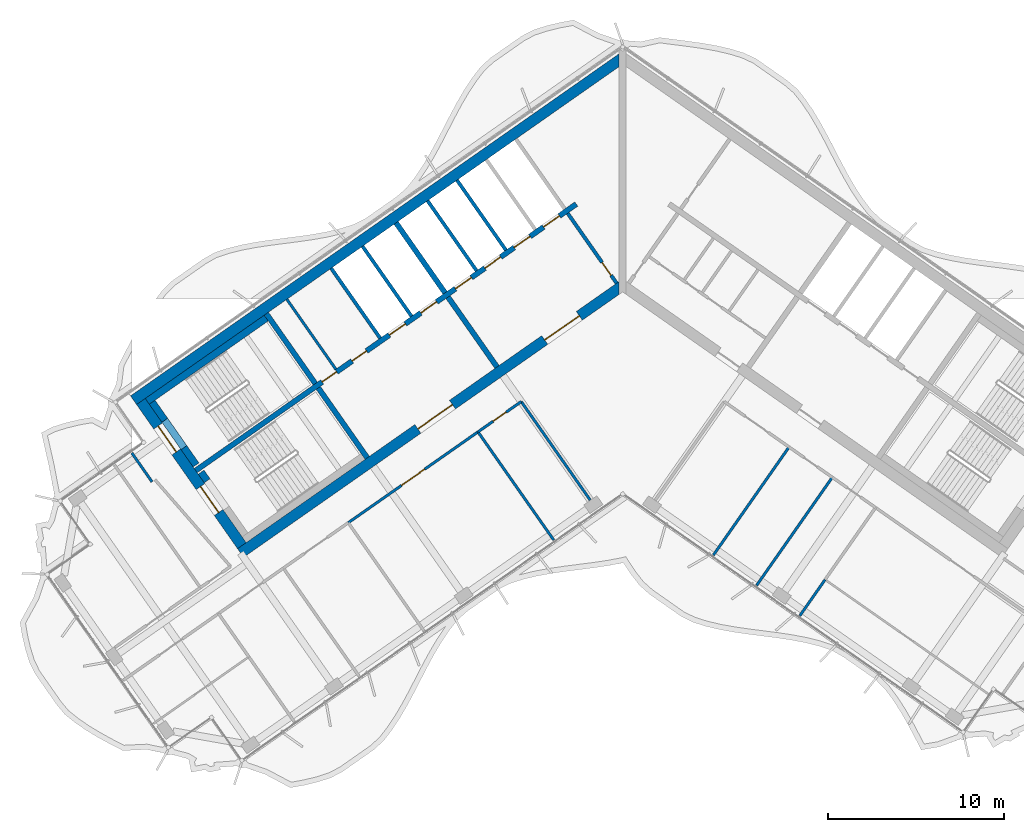
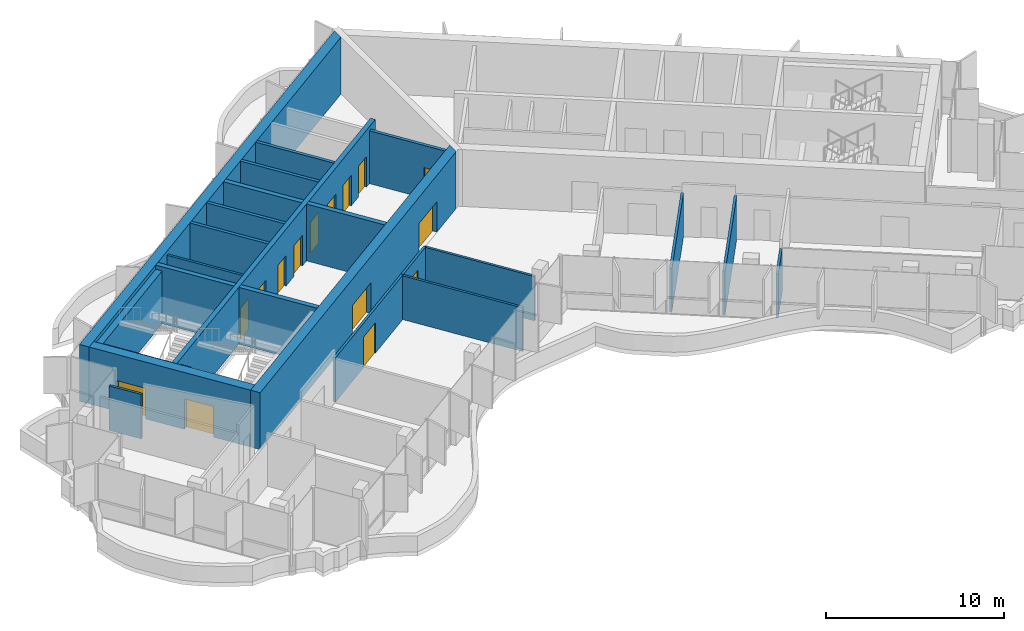
# One storey, part 9 of 17: 27 walls, 15 doors, 15 openings.
"""IFC4 building model written with IfcOpenShell, lengths in metres."""

from ifc_helpers import new_model, si_unit, direction, frame, frame_2d, origin, place, context, subcontext, project, spatial, polyline, rectangle, outline, extrude, material, layer, layer_set, type_object, element, fill, save


model = new_model("IFC4")

# Units and contexts
model_context = context("Model", 3, precision=1e-05, world=origin(), true_north=direction((0.0, 1.0)))
body_context = subcontext(model_context, "Body", "Model", "MODEL_VIEW")
ifc_project = project(units=[si_unit("LENGTHUNIT", "METRE"), si_unit("AREAUNIT", "SQUARE_METRE"), si_unit("VOLUMEUNIT", "CUBIC_METRE"), si_unit("PLANEANGLEUNIT", "RADIAN"), si_unit("MASSUNIT", "GRAM", prefix="KILO")], contexts=[model_context])

# Site, building, storey
site_placement = place(None, origin())
site = spatial("IfcSite", under=ifc_project, at=site_placement, CompositionType="ELEMENT")
building_placement = place(site_placement, origin())
building = spatial("IfcBuilding", under=site, at=building_placement, Name="Tel Ilan Convention Tower", CompositionType="ELEMENT")
storey_placement = place(building_placement, frame((0.0, 0.0, 280.0)))
storey = spatial("IfcBuildingStorey", under=building, at=storey_placement, Name="L66", CompositionType="ELEMENT", Elevation=280.0)

# Wall
ifc_material_1 = material(Name="Gypsum Plasterboard on Steel Stud", Category="steel")
ifc_layer_1 = layer(ifc_material_1, 0.14990234375)
ifc_layer_set_1 = layer_set([ifc_layer_1], Name="Core Room Partition Wall 150 mm EI 60")
wall_type_1 = type_object("IfcWallType", Name="Core Room Partition Wall 150 mm EI 60", PredefinedType="PARTITIONING", material=ifc_layer_set_1)
wall_1_placement = place(storey_placement, frame((-16.302001953125, -5.6162109375, 0.0), z_axis=(0.0, 0.0, 1.0), x_axis=(-0.573560315113, 0.819163332265, 0.0)))
element("IfcWall", 1, at=wall_1_placement, inside=storey, type_object=wall_type_1, Name="L66 core wall bank-W2-split", PredefinedType="PARTITIONING", context=body_context, shape_type="SweptSolid", body=[
    extrude(rectangle(XDim=4.849853515625, YDim=0.14990234375, at=frame_2d((2.4248046875, 0.0))), origin(), (0.0, 0.0, 1.0), 3.6201171875),
])

# Wall, opening, door
ifc_material_2 = material(Name="Concrete C30/37", Category="concrete")
ifc_layer_2 = layer(ifc_material_2, 0.199951171875)
ifc_layer_set_2 = layer_set([ifc_layer_2], Name="Core Service Room Wall 200 mm C30/37")
wall_type_2 = type_object("IfcWallType", Name="Core Service Room Wall 200 mm C30/37", PredefinedType="SOLIDWALL", material=ifc_layer_set_2)
wall_2_placement = place(storey_placement, frame((-0.343994140625, -0.729248046875, 0.0), z_axis=(0.0, 0.0, 1.0), x_axis=(-0.573560315113, 0.819163332265, 0.0)))
wall_2 = element("IfcWall", 2, at=wall_2_placement, inside=storey, type_object=wall_type_2, Name="L66 core wall apex-W", PredefinedType="SOLIDWALL", context=body_context, shape_type="SweptSolid", body=[
    extrude(rectangle(XDim=4.849853515625, YDim=0.199951171875, at=frame_2d((2.4248046875, 0.0))), origin(), (0.0, 0.0, 1.0), 3.6201171875),
])
opening_1_placement = place(wall_2_placement, frame((0.550048828125, 0.0, 0.0)))
opening_1 = element("IfcOpeningElement", 3, at=opening_1_placement, cuts=wall_2, Name="Opening CD5002", PredefinedType="OPENING", context=body_context, shape_type="SweptSolid", body=[
    extrude(rectangle(XDim=0.89990234375, YDim=2.10009765625, at=frame_2d((0.449951171875, 1.050048828125))), frame((0.0, 0.10986328125, 0.0), z_axis=(0.0, -1.0, 0.0), x_axis=(1.0, 0.0, 0.0)), (0.0, 0.0, 1.0), 0.219970703125),
])
ifc_material_3 = material(Name="Galvanised Steel Door Leaf", Category="steel")
door_type_1 = type_object("IfcDoorType", Name="Service Room Door 900 x 2100 FD60", OperationType="NOTDEFINED", PredefinedType="DOOR", material=ifc_material_3)
door_1_placement = place(opening_1_placement, origin())
door_1 = element("IfcDoor", 4, at=door_1_placement, inside=storey, type_object=door_type_1, Name="Riser Room door", OperationType="SINGLE_SWING_RIGHT", OverallHeight=2.10009765625, OverallWidth=0.89990234375, PredefinedType="DOOR", context=body_context, shape_type="SweptSolid", body=[
    extrude(rectangle(XDim=0.89990234375, YDim=2.10009765625, at=frame_2d((0.449951171875, 1.050048828125))), frame((0.0, 0.02490234375, 0.0), z_axis=(0.0, -1.0, 0.0), x_axis=(1.0, 0.0, 0.0)), (0.0, 0.0, 1.0), 0.050048828125),
])
fill(opening_1, door_1)

# Walls
ifc_material_4 = material(Name="Concrete C40/50", Category="concrete")
ifc_layer_3 = layer(ifc_material_4, 0.300048828125)
ifc_layer_set_3 = layer_set([ifc_layer_3], Name="Core Shear Wall 300 mm C40/50")
wall_type_3 = type_object("IfcWallType", Name="Core Shear Wall 300 mm C40/50", PredefinedType="SHEAR", material=ifc_layer_set_3)
wall_3_placement = place(storey_placement, frame((-7.142822265625, -5.48974609375, 0.0), z_axis=(0.0, 0.0, 1.0), x_axis=(-0.573617744349, 0.819123118565, 0.0)))
element("IfcWall", 5, at=wall_3_placement, inside=storey, type_object=wall_type_3, Name="L66 core wall W-cross1-1", PredefinedType="SHEAR", context=body_context, shape_type="SweptSolid", body=[
    extrude(outline(polyline([(4.85009765625, 0.14990234375), (0.0, 0.150146484375), (0.0, -0.14990234375), (4.85009765625, -0.150146484375), (4.85009765625, 0.14990234375)])), origin(), (0.0, 0.0, 1.0), 3.89990234375),
])
wall_4_placement = place(storey_placement, frame((-10.096923828125, -1.271240234375, 0.0), z_axis=(0.0, 0.0, 1.0), x_axis=(-0.573560315113, 0.819163332265, 0.0)))
element("IfcWall", 6, at=wall_4_placement, inside=storey, type_object=wall_type_3, Name="L66 core wall W-cross1-2", PredefinedType="SHEAR", context=body_context, shape_type="SweptSolid", body=[
    extrude(outline(polyline([(4.849853515625, -0.14990234375), (4.849853515625, 0.150146484375), (0.0, 0.14990234375), (0.0, -0.150146484375), (4.849853515625, -0.14990234375)])), origin(), (0.0, 0.0, 1.0), 3.89990234375),
])
wall_5_placement = place(storey_placement, frame((-14.515380859375, -10.652099609375, 0.0), z_axis=(0.0, 0.0, 1.0), x_axis=(-0.573560315113, 0.819163332265, 0.0)))
element("IfcWall", 7, at=wall_5_placement, inside=storey, type_object=wall_type_3, Name="L66 core wall W-cross2-1", PredefinedType="SHEAR", context=body_context, shape_type="SweptSolid", body=[
    extrude(outline(polyline([(4.85009765625, 0.14990234375), (0.0, 0.14990234375), (0.0, -0.150146484375), (4.85009765625, -0.14990234375), (4.85009765625, 0.14990234375)])), origin(), (0.0, 0.0, 1.0), 3.89990234375),
])
wall_6_placement = place(storey_placement, frame((-17.46923828125, -6.433349609375, 0.0), z_axis=(0.0, 0.0, 1.0), x_axis=(-0.573594092424, 0.81913968109, 0.0)))
element("IfcWall", 8, at=wall_6_placement, inside=storey, type_object=wall_type_3, Name="L66 core wall W-cross2-2", PredefinedType="SHEAR", context=body_context, shape_type="SweptSolid", body=[
    extrude(outline(polyline([(4.849853515625, -0.150146484375), (4.849853515625, 0.14990234375), (0.0, 0.14990234375), (0.0, -0.14990234375), (4.849853515625, -0.150146484375)])), origin(), (0.0, 0.0, 1.0), 3.89990234375),
])

# Wall, openings, doors
wall_7_placement = place(storey_placement, frame((-2.638427734375, 3.76806640625, 0.0), z_axis=(0.0, 0.0, 1.0), x_axis=(-0.819155014212, -0.573572194837, 0.0)))
wall_7 = element("IfcWall", 9, at=wall_7_placement, inside=storey, type_object=wall_type_3, Name="L66 core wall W-spine", PredefinedType="SHEAR", context=body_context, shape_type="SweptSolid", body=[
    extrude(outline(polyline([(26.39990234375, 0.150146484375), (0.0, 0.14990234375), (0.0, -0.150146484375), (26.39990234375, -0.14990234375), (26.39990234375, 0.150146484375)])), origin(), (0.0, 0.0, 1.0), 3.89990234375),
])
opening_2_placement = place(wall_7_placement, frame((1.168701171875, 0.0, 0.0)))
opening_2 = element("IfcOpeningElement", 10, at=opening_2_placement, cuts=wall_7, Name="Opening LD5004", PredefinedType="OPENING", context=body_context, shape_type="SweptSolid", body=[
    extrude(rectangle(XDim=1.10009765625, YDim=2.10009765625, at=frame_2d((0.550048828125, 1.050048828125))), frame((0.0, 0.159912109375, 0.0), z_axis=(0.0, -1.0, 0.0), x_axis=(1.0, 0.0, 0.0)), (0.0, 0.0, 1.0), 0.320068359375),
])
opening_3_placement = place(wall_7_placement, frame((3.206298828125, 0.0, 0.0)))
opening_3 = element("IfcOpeningElement", 11, at=opening_3_placement, cuts=wall_7, Name="Opening LD5005", PredefinedType="OPENING", context=body_context, shape_type="SweptSolid", body=[
    extrude(rectangle(XDim=1.10009765625, YDim=2.10009765625, at=frame_2d((0.550048828125, 1.050048828125))), frame((0.0, 0.159912109375, 0.0), z_axis=(0.0, -1.0, 0.0), x_axis=(1.0, 0.0, 0.0)), (0.0, 0.0, 1.0), 0.320068359375),
])
opening_4_placement = place(wall_7_placement, frame((5.24365234375, 0.0, 0.0)))
opening_4 = element("IfcOpeningElement", 12, at=opening_4_placement, cuts=wall_7, Name="Opening LD5006", PredefinedType="OPENING", context=body_context, shape_type="SweptSolid", body=[
    extrude(rectangle(XDim=1.10009765625, YDim=2.10009765625, at=frame_2d((0.550048828125, 1.050048828125))), frame((0.0, 0.159912109375, 0.0), z_axis=(0.0, -1.0, 0.0), x_axis=(1.0, 0.0, 0.0)), (0.0, 0.0, 1.0), 0.320068359375),
])
opening_5_placement = place(wall_7_placement, frame((7.28125, 0.0, 0.0)))
opening_5 = element("IfcOpeningElement", 13, at=opening_5_placement, cuts=wall_7, Name="Opening LD5007", PredefinedType="OPENING", context=body_context, shape_type="SweptSolid", body=[
    extrude(rectangle(XDim=1.10009765625, YDim=2.10009765625, at=frame_2d((0.550048828125, 1.050048828125))), frame((0.0, 0.159912109375, 0.0), z_axis=(0.0, -1.0, 0.0), x_axis=(1.0, 0.0, 0.0)), (0.0, 0.0, 1.0), 0.320068359375),
])
opening_6_placement = place(wall_7_placement, frame((9.6875, 0.0, 0.0)))
opening_6 = element("IfcOpeningElement", 14, at=opening_6_placement, cuts=wall_7, Name="Opening LD5008", PredefinedType="OPENING", context=body_context, shape_type="SweptSolid", body=[
    extrude(rectangle(XDim=1.10009765625, YDim=2.10009765625, at=frame_2d((0.550048828125, 1.050048828125))), frame((0.0, 0.159912109375, 0.0), z_axis=(0.0, -1.0, 0.0), x_axis=(1.0, 0.0, 0.0)), (0.0, 0.0, 1.0), 0.320068359375),
])
opening_7_placement = place(wall_7_placement, frame((11.862548828125, 0.0, 0.0)))
opening_7 = element("IfcOpeningElement", 15, at=opening_7_placement, cuts=wall_7, Name="Opening LD5009", PredefinedType="OPENING", context=body_context, shape_type="SweptSolid", body=[
    extrude(rectangle(XDim=1.10009765625, YDim=2.10009765625, at=frame_2d((0.550048828125, 1.050048828125))), frame((0.0, 0.159912109375, 0.0), z_axis=(0.0, -1.0, 0.0), x_axis=(1.0, 0.0, 0.0)), (0.0, 0.0, 1.0), 0.320068359375),
])
opening_8_placement = place(wall_7_placement, frame((14.552490234375, 0.0, 0.0)))
opening_8 = element("IfcOpeningElement", 16, at=opening_8_placement, cuts=wall_7, Name="Opening CD5009", PredefinedType="OPENING", context=body_context, shape_type="SweptSolid", body=[
    extrude(rectangle(XDim=1.0, YDim=2.10009765625, at=frame_2d((0.5, 1.050048828125))), frame((0.0, 0.159912109375, 0.0), z_axis=(0.0, -1.0, 0.0), x_axis=(1.0, 0.0, 0.0)), (0.0, 0.0, 1.0), 0.320068359375),
])
opening_9_placement = place(wall_7_placement, frame((16.62744140625, 0.0, 0.0)))
opening_9 = element("IfcOpeningElement", 17, at=opening_9_placement, cuts=wall_7, Name="Opening CD5010", PredefinedType="OPENING", context=body_context, shape_type="SweptSolid", body=[
    extrude(rectangle(XDim=1.0, YDim=2.10009765625, at=frame_2d((0.5, 1.050048828125))), frame((0.0, 0.159912109375, 0.0), z_axis=(0.0, -1.0, 0.0), x_axis=(1.0, 0.0, 0.0)), (0.0, 0.0, 1.0), 0.320068359375),
])
ifc_material_5 = material(Name="Stainless Steel Sliding Door Leaf", Category="steel")
door_type_2 = type_object("IfcDoorType", Name="Lift Landing Door 1100 x 2100 FD120", OperationType="NOTDEFINED", PredefinedType="DOOR", material=ifc_material_5)
door_2_placement = place(opening_2_placement, origin())
door_2 = element("IfcDoor", 18, at=door_2_placement, inside=storey, type_object=door_type_2, Name="Lift HR1 landing door", OperationType="SLIDING_TO_LEFT", OverallHeight=2.10009765625, OverallWidth=1.10009765625, PredefinedType="DOOR", context=body_context, shape_type="SweptSolid", body=[
    extrude(rectangle(XDim=1.10009765625, YDim=2.10009765625, at=frame_2d((0.550048828125, 1.050048828125))), frame((0.0, 0.02490234375, 0.0), z_axis=(0.0, -1.0, 0.0), x_axis=(1.0, 0.0, 0.0)), (0.0, 0.0, 1.0), 0.050048828125),
])
fill(opening_2, door_2)
door_3_placement = place(opening_3_placement, origin())
door_3 = element("IfcDoor", 19, at=door_3_placement, inside=storey, type_object=door_type_2, Name="Lift HR2 landing door", OperationType="SLIDING_TO_RIGHT", OverallHeight=2.10009765625, OverallWidth=1.10009765625, PredefinedType="DOOR", context=body_context, shape_type="SweptSolid", body=[
    extrude(rectangle(XDim=1.10009765625, YDim=2.10009765625, at=frame_2d((0.550048828125, 1.050048828125))), frame((0.0, 0.02490234375, 0.0), z_axis=(0.0, -1.0, 0.0), x_axis=(1.0, 0.0, 0.0)), (0.0, 0.0, 1.0), 0.050048828125),
])
fill(opening_3, door_3)
door_4_placement = place(opening_4_placement, origin())
door_4 = element("IfcDoor", 20, at=door_4_placement, inside=storey, type_object=door_type_2, Name="Lift HR3 landing door", OperationType="SLIDING_TO_LEFT", OverallHeight=2.10009765625, OverallWidth=1.10009765625, PredefinedType="DOOR", context=body_context, shape_type="SweptSolid", body=[
    extrude(rectangle(XDim=1.10009765625, YDim=2.10009765625, at=frame_2d((0.550048828125, 1.050048828125))), frame((0.0, 0.02490234375, 0.0), z_axis=(0.0, -1.0, 0.0), x_axis=(1.0, 0.0, 0.0)), (0.0, 0.0, 1.0), 0.050048828125),
])
fill(opening_4, door_4)
door_5_placement = place(opening_5_placement, origin())
door_5 = element("IfcDoor", 21, at=door_5_placement, inside=storey, type_object=door_type_2, Name="Lift HR4 landing door", OperationType="SLIDING_TO_RIGHT", OverallHeight=2.10009765625, OverallWidth=1.10009765625, PredefinedType="DOOR", context=body_context, shape_type="SweptSolid", body=[
    extrude(rectangle(XDim=1.10009765625, YDim=2.10009765625, at=frame_2d((0.550048828125, 1.050048828125))), frame((0.0, 0.02490234375, 0.0), z_axis=(0.0, -1.0, 0.0), x_axis=(1.0, 0.0, 0.0)), (0.0, 0.0, 1.0), 0.050048828125),
])
fill(opening_5, door_5)
door_6_placement = place(opening_6_placement, origin())
door_6 = element("IfcDoor", 22, at=door_6_placement, inside=storey, type_object=door_type_2, Name="Lift HR5 landing door", OperationType="SLIDING_TO_LEFT", OverallHeight=2.10009765625, OverallWidth=1.10009765625, PredefinedType="DOOR", context=body_context, shape_type="SweptSolid", body=[
    extrude(rectangle(XDim=1.10009765625, YDim=2.10009765625, at=frame_2d((0.550048828125, 1.050048828125))), frame((0.0, 0.02490234375, 0.0), z_axis=(0.0, -1.0, 0.0), x_axis=(1.0, 0.0, 0.0)), (0.0, 0.0, 1.0), 0.050048828125),
])
fill(opening_6, door_6)
door_7_placement = place(opening_7_placement, origin())
door_7 = element("IfcDoor", 23, at=door_7_placement, inside=storey, type_object=door_type_2, Name="Lift HR6 landing door", OperationType="SLIDING_TO_RIGHT", OverallHeight=2.10009765625, OverallWidth=1.10009765625, PredefinedType="DOOR", context=body_context, shape_type="SweptSolid", body=[
    extrude(rectangle(XDim=1.10009765625, YDim=2.10009765625, at=frame_2d((0.550048828125, 1.050048828125))), frame((0.0, 0.02490234375, 0.0), z_axis=(0.0, -1.0, 0.0), x_axis=(1.0, 0.0, 0.0)), (0.0, 0.0, 1.0), 0.050048828125),
])
fill(opening_7, door_7)
ifc_material_6 = material(Name="Galvanised Steel Door Leaf", Category="steel")
door_type_3 = type_object("IfcDoorType", Name="Service Room Door 1000 x 2100 FD60", OperationType="NOTDEFINED", PredefinedType="DOOR", material=ifc_material_6)
door_8_placement = place(opening_8_placement, origin())
door_8 = element("IfcDoor", 24, at=door_8_placement, inside=storey, type_object=door_type_3, Name="Plant Room door", OperationType="SINGLE_SWING_RIGHT", OverallHeight=2.10009765625, OverallWidth=1.0, PredefinedType="DOOR", context=body_context, shape_type="SweptSolid", body=[
    extrude(rectangle(XDim=1.0, YDim=2.10009765625, at=frame_2d((0.5, 1.050048828125))), frame((0.0, 0.02490234375, 0.0), z_axis=(0.0, -1.0, 0.0), x_axis=(1.0, 0.0, 0.0)), (0.0, 0.0, 1.0), 0.050048828125),
])
fill(opening_8, door_8)
door_9_placement = place(opening_9_placement, origin())
door_9 = element("IfcDoor", 25, at=door_9_placement, inside=storey, type_object=door_type_3, Name="Plant Room door", OperationType="SINGLE_SWING_RIGHT", OverallHeight=2.10009765625, OverallWidth=1.0, PredefinedType="DOOR", context=body_context, shape_type="SweptSolid", body=[
    extrude(rectangle(XDim=1.0, YDim=2.10009765625, at=frame_2d((0.5, 1.050048828125))), frame((0.0, 0.02490234375, 0.0), z_axis=(0.0, -1.0, 0.0), x_axis=(1.0, 0.0, 0.0)), (0.0, 0.0, 1.0), 0.050048828125),
])
fill(opening_9, door_9)

# Wall
ifc_material_7 = material(Name="Concrete C40/50", Category="concrete")
ifc_layer_4 = layer(ifc_material_7, 0.60009765625)
ifc_layer_set_4 = layer_set([ifc_layer_4], Name="Core Shear Wall 600 mm C40/50")
wall_type_4 = type_object("IfcWallType", Name="Core Shear Wall 600 mm C40/50", PredefinedType="SHEAR", material=ifc_layer_set_4)
wall_8_placement = place(storey_placement, frame((-0.02783203125, 12.066162109375, 0.0), z_axis=(0.0, 0.0, 1.0), x_axis=(-0.819151382952, -0.573577380837, 0.0)))
element("IfcWall", 26, at=wall_8_placement, inside=storey, type_object=wall_type_4, Name="L66 core wall W-back", PredefinedType="SHEAR", context=body_context, shape_type="SweptSolid", body=[
    extrude(outline(polyline([(33.89794921875, 0.300048828125), (0.420166015625, 0.300048828125), (0.0, -0.300048828125), (33.898193359375, -0.300048828125), (33.89794921875, 0.300048828125)])), origin(), (0.0, 0.0, 1.0), 3.89990234375),
])

# Wall, openings, doors
wall_9_placement = place(storey_placement, frame((-0.02783203125, -0.8740234375, 0.0), z_axis=(0.0, 0.0, 1.0), x_axis=(-0.819150035022, -0.573579305871, 0.0)))
wall_9 = element("IfcWall", 27, at=wall_9_placement, inside=storey, type_object=wall_type_4, Name="L66 core wall W-front", PredefinedType="SHEAR", context=body_context, shape_type="SweptSolid", body=[
    extrude(outline(polyline([(26.475830078125, 0.2998046875), (0.420166015625, 0.300048828125), (0.000244140625, -0.300048828125), (26.475830078125, -0.300048828125), (26.475830078125, 0.2998046875)])), origin(), (0.0, 0.0, 1.0), 3.89990234375),
])
opening_10_placement = place(wall_9_placement, frame((2.975830078125, 0.0, 0.0)))
opening_10 = element("IfcOpeningElement", 28, at=opening_10_placement, cuts=wall_9, Name="Opening CD5006", PredefinedType="OPENING", context=body_context, shape_type="SweptSolid", body=[
    extrude(rectangle(XDim=2.39990234375, YDim=2.10009765625, at=frame_2d((1.199951171875, 1.050048828125))), frame((0.0, 0.31005859375, 0.0), z_axis=(0.0, -1.0, 0.0), x_axis=(1.0, 0.0, 0.0)), (0.0, 0.0, 1.0), 0.6201171875),
])
opening_11_placement = place(wall_9_placement, frame((11.77587890625, 0.0, 0.0)))
opening_11 = element("IfcOpeningElement", 29, at=opening_11_placement, cuts=wall_9, Name="Opening CD5007", PredefinedType="OPENING", context=body_context, shape_type="SweptSolid", body=[
    extrude(rectangle(XDim=2.39990234375, YDim=2.10009765625, at=frame_2d((1.199951171875, 1.050048828125))), frame((0.0, 0.31005859375, 0.0), z_axis=(0.0, -1.0, 0.0), x_axis=(1.0, 0.0, 0.0)), (0.0, 0.0, 1.0), 0.6201171875),
])
ifc_material_8 = material(Name="Glazed Aluminium Door Leaf", Category="aluminium")
door_type_4 = type_object("IfcDoorType", Name="Lobby Opening Door 2400 x 2100 FD60S", OperationType="NOTDEFINED", PredefinedType="DOOR", material=ifc_material_8)
door_10_placement = place(opening_10_placement, origin())
door_10 = element("IfcDoor", 30, at=door_10_placement, inside=storey, type_object=door_type_4, Name="Lift Lobby HR1-HR4 opening", OperationType="DOUBLE_DOOR_SINGLE_SWING", OverallHeight=2.10009765625, OverallWidth=2.39990234375, PredefinedType="DOOR", context=body_context, shape_type="SweptSolid", body=[
    extrude(rectangle(XDim=2.39990234375, YDim=2.10009765625, at=frame_2d((1.199951171875, 1.050048828125))), frame((0.0, 0.02490234375, 0.0), z_axis=(0.0, -1.0, 0.0), x_axis=(1.0, 0.0, 0.0)), (0.0, 0.0, 1.0), 0.050048828125),
])
fill(opening_10, door_10)
door_11_placement = place(opening_11_placement, origin())
door_11 = element("IfcDoor", 31, at=door_11_placement, inside=storey, type_object=door_type_4, Name="Lift Lobby HR5-HR6 opening", OperationType="DOUBLE_DOOR_SINGLE_SWING", OverallHeight=2.10009765625, OverallWidth=2.39990234375, PredefinedType="DOOR", context=body_context, shape_type="SweptSolid", body=[
    extrude(rectangle(XDim=2.39990234375, YDim=2.10009765625, at=frame_2d((1.199951171875, 1.050048828125))), frame((0.0, 0.02490234375, 0.0), z_axis=(0.0, -1.0, 0.0), x_axis=(1.0, 0.0, 0.0)), (0.0, 0.0, 1.0), 0.050048828125),
])
fill(opening_11, door_11)

wall_10_placement = place(storey_placement, frame((-21.641845703125, -15.64208984375, 0.0), z_axis=(0.0, 0.0, 1.0), x_axis=(-0.573586866468, 0.819144740944, 0.0)))
wall_10 = element("IfcWall", 32, at=wall_10_placement, inside=storey, type_object=wall_type_4, Name="L66 core wall W-end", PredefinedType="SHEAR", context=body_context, shape_type="SweptSolid", body=[
    extrude(outline(polyline([(0.0, 0.300048828125), (0.0, -0.2998046875), (10.0, -0.300048828125), (10.0, 0.300048828125), (0.0, 0.300048828125)])), origin(), (0.0, 0.0, 1.0), 3.89990234375),
])
opening_12_placement = place(wall_10_placement, frame((6.5, 0.0, 0.0)))
opening_12 = element("IfcOpeningElement", 33, at=opening_12_placement, cuts=wall_10, Name="Opening SD5001", PredefinedType="OPENING", context=body_context, shape_type="SweptSolid", body=[
    extrude(rectangle(XDim=1.800048828125, YDim=2.10009765625, at=frame_2d((0.89990234375, 1.050048828125))), frame((0.0, 0.31005859375, 0.0), z_axis=(0.0, -1.0, 0.0), x_axis=(1.0, 0.0, 0.0)), (0.0, 0.0, 1.0), 0.6201171875),
])
opening_13_placement = place(wall_10_placement, frame((2.300048828125, 0.0, 0.0)))
opening_13 = element("IfcOpeningElement", 34, at=opening_13_placement, cuts=wall_10, Name="Opening SD5002", PredefinedType="OPENING", context=body_context, shape_type="SweptSolid", body=[
    extrude(rectangle(XDim=1.800048828125, YDim=2.10009765625, at=frame_2d((0.89990234375, 1.050048828125))), frame((0.0, 0.31005859375, 0.0), z_axis=(0.0, -1.0, 0.0), x_axis=(1.0, 0.0, 0.0)), (0.0, 0.0, 1.0), 0.6201171875),
])
ifc_material_9 = material(Name="Galvanised Steel Door Leaf", Category="steel")
door_type_5 = type_object("IfcDoorType", Name="Stair Fire Door 1800 x 2100 FD60S", OperationType="NOTDEFINED", PredefinedType="DOOR", material=ifc_material_9)
door_12_placement = place(opening_12_placement, origin())
door_12 = element("IfcDoor", 35, at=door_12_placement, inside=storey, type_object=door_type_5, Name="Stair S1 door", OperationType="DOUBLE_DOOR_SINGLE_SWING", OverallHeight=2.10009765625, OverallWidth=1.800048828125, PredefinedType="DOOR", context=body_context, shape_type="SweptSolid", body=[
    extrude(rectangle(XDim=1.800048828125, YDim=2.10009765625, at=frame_2d((0.89990234375, 1.050048828125))), frame((0.0, 0.02490234375, 0.0), z_axis=(0.0, -1.0, 0.0), x_axis=(1.0, 0.0, 0.0)), (0.0, 0.0, 1.0), 0.050048828125),
])
fill(opening_12, door_12)
door_13_placement = place(opening_13_placement, origin())
door_13 = element("IfcDoor", 36, at=door_13_placement, inside=storey, type_object=door_type_5, Name="Stair S2 door", OperationType="DOUBLE_DOOR_SINGLE_SWING", OverallHeight=2.10009765625, OverallWidth=1.800048828125, PredefinedType="DOOR", context=body_context, shape_type="SweptSolid", body=[
    extrude(rectangle(XDim=1.800048828125, YDim=2.10009765625, at=frame_2d((0.89990234375, 1.050048828125))), frame((0.0, 0.02490234375, 0.0), z_axis=(0.0, -1.0, 0.0), x_axis=(1.0, 0.0, 0.0)), (0.0, 0.0, 1.0), 0.050048828125),
])
fill(opening_13, door_13)

# Wall, opening, door
ifc_material_10 = material(Name="Plasterboard on Steel Studs", Category="steel")
ifc_layer_5 = layer(ifc_material_10, 0.14990234375)
ifc_layer_set_5 = layer_set([ifc_layer_5], Name="Fire-rated Partition 150 EI 60")
wall_type_5 = type_object("IfcWallType", Name="Fire-rated Partition 150 EI 60", PredefinedType="PARTITIONING", material=ifc_layer_set_5)
wall_11_placement = place(storey_placement, frame((-5.766357421875, -7.455810546875, 0.0), z_axis=(0.0, 0.0, 1.0), x_axis=(-0.819132568355, -0.573604249862, 0.0)))
wall_11 = element("IfcWall", 37, at=wall_11_placement, inside=storey, type_object=wall_type_5, Name="Partition 009", PredefinedType="PARTITIONING", context=body_context, shape_type="SweptSolid", body=[
    extrude(rectangle(XDim=3.001953125, YDim=0.14990234375, at=frame_2d((1.5009765625, 0.0))), origin(), (0.0, 0.0, 1.0), 3.050048828125),
])
opening_14_placement = place(wall_11_placement, frame((1.051025390625, 0.0, 0.0)))
opening_14 = element("IfcOpeningElement", 38, at=opening_14_placement, cuts=wall_11, Name="Opening L65-001", PredefinedType="OPENING", context=body_context, shape_type="SweptSolid", body=[
    extrude(rectangle(XDim=0.89990234375, YDim=2.10009765625, at=frame_2d((0.449951171875, 1.050048828125))), frame((0.0, 0.0849609375, 0.0), z_axis=(0.0, -1.0, 0.0), x_axis=(1.0, 0.0, 0.0)), (0.0, 0.0, 1.0), 0.169921875),
])
ifc_material_11 = material(Name="Timber Door Leaf in Steel Frame", Category="steel")
door_type_6 = type_object("IfcDoorType", Name="Room Fire Door 900x2100", OperationType="NOTDEFINED", PredefinedType="DOOR", material=ifc_material_11)
door_14_placement = place(opening_14_placement, origin())
door_14 = element("IfcDoor", 39, at=door_14_placement, inside=storey, type_object=door_type_6, Name="Door L65-001", OperationType="SINGLE_SWING_RIGHT", OverallHeight=2.10009765625, OverallWidth=0.89990234375, PredefinedType="DOOR", context=body_context, shape_type="SweptSolid", body=[
    extrude(rectangle(XDim=0.89990234375, YDim=2.10009765625, at=frame_2d((0.449951171875, 1.050048828125))), frame((0.0, 0.02490234375, 0.0), z_axis=(0.0, -1.0, 0.0), x_axis=(1.0, 0.0, 0.0)), (0.0, 0.0, 1.0), 0.050048828125),
])
fill(opening_14, door_14)

wall_12_placement = place(storey_placement, frame((-8.22216796875, -9.17529296875, 0.0), z_axis=(0.0, 0.0, 1.0), x_axis=(-0.819151661297, -0.57357698332, 0.0)))
wall_12 = element("IfcWall", 40, at=wall_12_placement, inside=storey, type_object=wall_type_5, Name="Partition 010", PredefinedType="PARTITIONING", context=body_context, shape_type="SweptSolid", body=[
    extrude(rectangle(XDim=9.004150390625, YDim=0.14990234375, at=frame_2d((4.501953125, 0.0))), origin(), (0.0, 0.0, 1.0), 3.050048828125),
])
opening_15_placement = place(wall_12_placement, frame((3.701904296875, 0.0, 0.0)))
opening_15 = element("IfcOpeningElement", 41, at=opening_15_placement, cuts=wall_12, Name="Opening L65-002", PredefinedType="OPENING", context=body_context, shape_type="SweptSolid", body=[
    extrude(rectangle(XDim=1.60009765625, YDim=2.10009765625, at=frame_2d((0.800048828125, 1.050048828125))), frame((0.0, 0.0849609375, 0.0), z_axis=(0.0, -1.0, 0.0), x_axis=(1.0, 0.0, 0.0)), (0.0, 0.0, 1.0), 0.169921875),
])
ifc_material_12 = material(Name="Timber Door Leaf in Steel Frame", Category="steel")
door_type_7 = type_object("IfcDoorType", Name="Tenant Suite Entrance Fire Door 1600x2100", OperationType="NOTDEFINED", PredefinedType="DOOR", material=ifc_material_12)
door_15_placement = place(opening_15_placement, origin())
door_15 = element("IfcDoor", 42, at=door_15_placement, inside=storey, type_object=door_type_7, Name="Door L65-002", OperationType="DOUBLE_DOOR_SINGLE_SWING", OverallHeight=2.10009765625, OverallWidth=1.60009765625, PredefinedType="DOOR", context=body_context, shape_type="SweptSolid", body=[
    extrude(rectangle(XDim=1.60009765625, YDim=2.10009765625, at=frame_2d((0.800048828125, 1.050048828125))), frame((0.0, 0.02490234375, 0.0), z_axis=(0.0, -1.0, 0.0), x_axis=(1.0, 0.0, 0.0)), (0.0, 0.0, 1.0), 0.050048828125),
])
fill(opening_15, door_15)

# Walls
for number, where, z_axis, x_axis, name in (
    (43, (9.452392578125, -10.036865234375, 0.0), (0.0, 0.0, 1.0), (-0.573575945067, -0.81915238829, 0.0), "Partition 014"),
    (44, (11.909912109375, -11.757568359375, 0.0), (0.0, 0.0, 1.0), (-0.573560650686, -0.819163097304, 0.0), "Partition 016"),
):
    element("IfcWall", number, at=place(storey_placement, frame(where, z_axis=z_axis, x_axis=x_axis)), inside=storey, type_object=wall_type_5, Name=name, PredefinedType="PARTITIONING", context=body_context, shape_type="SweptSolid", body=[
        extrude(rectangle(XDim=7.5, YDim=0.14990234375, at=frame_2d((3.75, 0.0))), origin(), (0.0, 0.0, 1.0), 3.0),
    ])
wall_13_placement = place(storey_placement, frame((11.5, -17.5732421875, 0.0), z_axis=(0.0, 0.0, 1.0), x_axis=(-0.573501652684, -0.819204403289, 0.0)))
element("IfcWall", 45, at=wall_13_placement, inside=storey, type_object=wall_type_5, Name="Partition 017", PredefinedType="PARTITIONING", context=body_context, shape_type="SweptSolid", body=[
    extrude(rectangle(XDim=2.5009765625, YDim=0.14990234375, at=frame_2d((1.25048828125, 0.0))), origin(), (0.0, 0.0, 1.0), 3.0),
])
wall_14_placement = place(storey_placement, frame((-1.848876953125, -13.050537109375, 0.0), z_axis=(0.0, 0.0, 1.0), x_axis=(-0.57357985571, 0.819149650018, 0.0)))
element("IfcWall", 46, at=wall_14_placement, inside=storey, type_object=wall_type_5, Name="Partition 021", PredefinedType="PARTITIONING", context=body_context, shape_type="SweptSolid", body=[
    extrude(rectangle(XDim=6.83203125, YDim=0.14990234375, at=frame_2d((3.416015625, 0.0))), origin(), (0.0, 0.0, 1.0), 3.050048828125),
])
wall_15_placement = place(storey_placement, frame((-26.74609375, -12.013671875, 0.0), z_axis=(0.0, 0.0, 1.0), x_axis=(-0.573568836472, 0.819157365729, 0.0)))
element("IfcWall", 47, at=wall_15_placement, inside=storey, type_object=wall_type_5, Name="Partition 022", PredefinedType="PARTITIONING", context=body_context, shape_type="SweptSolid", body=[
    extrude(rectangle(XDim=2.000244140625, YDim=0.14990234375, at=frame_2d((1.0, 0.0))), origin(), (0.0, 0.0, 1.0), 3.050048828125),
])
wall_16_placement = place(storey_placement, frame((-3.922119140625, -15.3203125, 0.0), z_axis=(0.0, 0.0, 1.0), x_axis=(-0.573560650686, 0.819163097304, 0.0)))
element("IfcWall", 48, at=wall_16_placement, inside=storey, type_object=wall_type_5, Name="Partition 025", PredefinedType="PARTITIONING", context=body_context, shape_type="SweptSolid", body=[
    extrude(rectangle(XDim=7.5, YDim=0.14990234375, at=frame_2d((3.75, 0.0))), origin(), (0.0, 0.0, 1.0), 3.0),
])
ifc_material_13 = material(Name="Concrete C30/37", Category="concrete")
ifc_layer_6 = layer(ifc_material_13, 0.199951171875)
ifc_layer_set_6 = layer_set([ifc_layer_6], Name="Lift Shaft Wall 200 mm C30/37")
wall_type_6 = type_object("IfcWallType", Name="Lift Shaft Wall 200 mm C30/37", PredefinedType="SOLIDWALL", material=ifc_layer_set_6)
wall_17_placement = place(storey_placement, frame((-6.635986328125, 1.152099609375, 0.0), z_axis=(0.0, 0.0, 1.0), x_axis=(-0.573560315113, 0.819163332265, 0.0)))
element("IfcWall", 49, at=wall_17_placement, inside=storey, type_object=wall_type_6, Name="L66 core wall bank-W1-p1", PredefinedType="SOLIDWALL", context=body_context, shape_type="SweptSolid", body=[
    extrude(rectangle(XDim=4.849853515625, YDim=0.199951171875, at=frame_2d((2.4248046875, 0.0))), origin(), (0.0, 0.0, 1.0), 3.89990234375),
])
wall_18_placement = place(storey_placement, frame((-8.304931640625, -0.0166015625, 0.0), z_axis=(0.0, 0.0, 1.0), x_axis=(-0.573594092424, 0.81913968109, 0.0)))
element("IfcWall", 50, at=wall_18_placement, inside=storey, type_object=wall_type_6, Name="L66 core wall bank-W1-p2", PredefinedType="SOLIDWALL", context=body_context, shape_type="SweptSolid", body=[
    extrude(rectangle(XDim=4.85009765625, YDim=0.199951171875, at=frame_2d((2.425048828125, 0.0))), origin(), (0.0, 0.0, 1.0), 3.89990234375),
])
wall_19_placement = place(storey_placement, frame((-12.00146484375, -2.604736328125, 0.0), z_axis=(0.0, 0.0, 1.0), x_axis=(-0.573560315113, 0.819163332265, 0.0)))
element("IfcWall", 51, at=wall_19_placement, inside=storey, type_object=wall_type_6, Name="L66 core wall bank-W2-p0", PredefinedType="SOLIDWALL", context=body_context, shape_type="SweptSolid", body=[
    extrude(rectangle(XDim=4.849853515625, YDim=0.199951171875, at=frame_2d((2.4248046875, 0.0))), origin(), (0.0, 0.0, 1.0), 3.89990234375),
])
wall_20_placement = place(storey_placement, frame((-13.782958984375, -3.852294921875, 0.0), z_axis=(0.0, 0.0, 1.0), x_axis=(-0.573594092424, 0.81913968109, 0.0)))
element("IfcWall", 52, at=wall_20_placement, inside=storey, type_object=wall_type_6, Name="L66 core wall bank-W2-p1", PredefinedType="SOLIDWALL", context=body_context, shape_type="SweptSolid", body=[
    extrude(rectangle(XDim=4.85009765625, YDim=0.199951171875, at=frame_2d((2.425048828125, 0.0))), origin(), (0.0, 0.0, 1.0), 3.89990234375),
])
ifc_material_14 = material(Name="Concrete C30/37", Category="concrete")
ifc_layer_7 = layer(ifc_material_14, 0.39990234375)
ifc_layer_set_7 = layer_set([ifc_layer_7], Name="Stair and Shaft Lining Wall 400 mm C30/37")
wall_type_7 = type_object("IfcWallType", Name="Stair and Shaft Lining Wall 400 mm C30/37", PredefinedType="SOLIDWALL", material=ifc_layer_set_7)
wall_21_placement = place(storey_placement, frame((-20.25927734375, -2.71044921875, 0.0), z_axis=(0.0, 0.0, 1.0), x_axis=(-0.81914849389, -0.573581506813, 0.0)))
element("IfcWall", 53, at=wall_21_placement, inside=storey, type_object=wall_type_7, Name="L66 core wall lining-S1-t1", PredefinedType="SOLIDWALL", context=body_context, shape_type="SweptSolid", body=[
    extrude(rectangle(XDim=8.249755859375, YDim=0.39990234375, at=frame_2d((4.125, 0.0))), origin(), (0.0, 0.0, 1.0), 3.6201171875),
])
wall_22_placement = place(storey_placement, frame((-24.24365234375, -11.0546875, 0.0), z_axis=(0.0, 0.0, 1.0), x_axis=(-0.573571582932, 0.819155442668, 0.0)))
element("IfcWall", 54, at=wall_22_placement, inside=storey, type_object=wall_type_7, Name="L66 core wall lining-S1-u1-0", PredefinedType="SOLIDWALL", context=body_context, shape_type="SweptSolid", body=[
    extrude(rectangle(XDim=1.199951171875, YDim=0.39990234375, at=frame_2d((0.60009765625, 0.0))), origin(), (0.0, 0.0, 1.0), 3.6201171875),
])
wall_23_placement = place(storey_placement, frame((-26.021728515625, -8.515380859375, 0.0), z_axis=(0.0, 0.0, 1.0), x_axis=(-0.573619628835, 0.819121798889, 0.0)))
element("IfcWall", 55, at=wall_23_placement, inside=storey, type_object=wall_type_7, Name="L66 core wall lining-S1-u1-1", PredefinedType="SOLIDWALL", context=body_context, shape_type="SweptSolid", body=[
    extrude(rectangle(XDim=1.25, YDim=0.39990234375, at=frame_2d((0.625, 0.0))), origin(), (0.0, 0.0, 1.0), 3.6201171875),
])
wall_24_placement = place(storey_placement, frame((-24.931884765625, -10.07177734375, 2.14990234375), z_axis=(0.0, 0.0, 1.0), x_axis=(-0.573591692345, 0.819141361715, 0.0)))
element("IfcWall", 56, at=wall_24_placement, inside=storey, type_object=wall_type_7, Name="L66 core wall lining-S1-u1-lintel", PredefinedType="SOLIDWALL", context=body_context, shape_type="SweptSolid", body=[
    extrude(rectangle(XDim=1.900146484375, YDim=0.39990234375, at=frame_2d((0.9501953125, 0.0))), origin(), (0.0, 0.0, 1.0), 1.47021484375),
])
wall_25_placement = place(storey_placement, frame((-23.61279296875, -11.955810546875, 0.0), z_axis=(0.0, 0.0, 1.0), x_axis=(-0.573435029941, 0.819251039936, 0.0)))
element("IfcWall", 57, at=wall_25_placement, inside=storey, type_object=wall_type_7, Name="L66 core wall lining-S2-u1-1", PredefinedType="SOLIDWALL", context=body_context, shape_type="SweptSolid", body=[
    extrude(rectangle(XDim=0.599853515625, YDim=0.39990234375, at=frame_2d((0.2998046875, 0.0))), origin(), (0.0, 0.0, 1.0), 3.6201171875),
])

save(model, "model.ifc")
